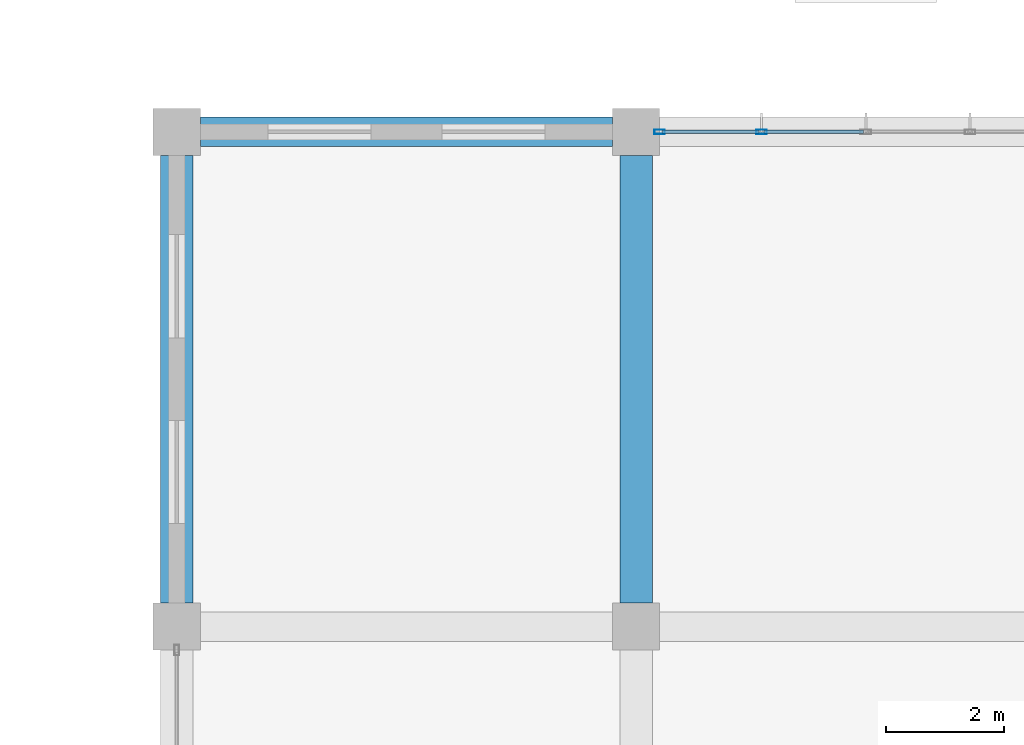
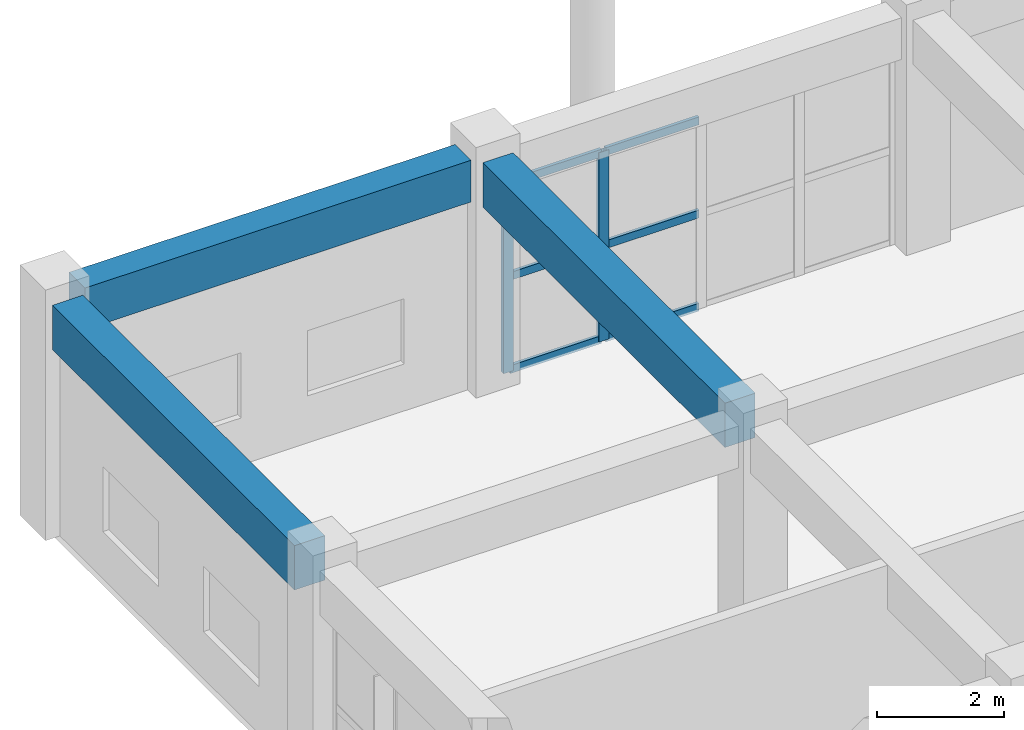
# One storey, part 93 of 139: 8 members, 3 beams, 1 element without a shape of its own.
"""IFC4 building model written with IfcOpenShell, lengths in metres."""

from ifc_helpers import new_model, si_unit, direction, frame, origin, origin_2d, place, context, subcontext, project, spatial, rectangle, hollow_rectangle, extrude, material, layer, layer_set, material_profile, profile_set, type_object, element, aggregate, save


model = new_model("IFC4")

# Units and contexts
model_context = context("Model", 3, precision=1e-05, world=origin(), true_north=direction((0.0, 1.0)))
body_context = subcontext(model_context, "Body", "Model", "MODEL_VIEW")
ifc_project = project(units=[si_unit("LENGTHUNIT", "METRE"), si_unit("AREAUNIT", "SQUARE_METRE"), si_unit("VOLUMEUNIT", "CUBIC_METRE"), si_unit("PLANEANGLEUNIT", "RADIAN"), si_unit("MASSUNIT", "GRAM", prefix="KILO")], contexts=[model_context])

# Site, building, storey
site_placement = place(None, origin())
site = spatial("IfcSite", under=ifc_project, at=site_placement, CompositionType="ELEMENT")
building_placement = place(site_placement, origin())
building = spatial("IfcBuilding", under=site, at=building_placement, Name="Zizhar Promenade General Hospital", CompositionType="ELEMENT")
storey_placement = place(building_placement, origin())
storey = spatial("IfcBuildingStorey", under=building, at=storey_placement, Name="L00", CompositionType="ELEMENT", Elevation=0.0)

# Beams
ifc_material_1 = material(Name="Concrete C35/45", Category="concrete")
ifc_material_profile_1 = material_profile(ifc_material_1, rectangle(XDim=0.5, YDim=0.800048828125, at=origin_2d()))
ifc_profile_set_1 = profile_set([ifc_material_profile_1], Name="Concrete C35/45")
beam_type_1 = type_object("IfcBeamType", Name="BM-RC-500x800", PredefinedType="BEAM", material=ifc_profile_set_1)
beam_placement = place(storey_placement, frame((47.199951171875, 134.39990234375, 4.070068359375), z_axis=(1.0, 0.0, 0.0), x_axis=(0.0, 1.0, 0.0)))
element("IfcBeam", 1, at=beam_placement, inside=storey, type_object=beam_type_1, Name="Grid Beam X L00 (6-16)", PredefinedType="BEAM", context=body_context, shape_type="SweptSolid", body=[
    extrude(rectangle(XDim=0.5, YDim=0.800048828125, at=origin_2d()), origin(), (0.0, 0.0, 1.0), 7.0),
])
ifc_material_2 = material(Name="Concrete C35/45", Category="concrete")
ifc_material_profile_2 = material_profile(ifc_material_2, rectangle(XDim=0.550048828125, YDim=0.85009765625, at=origin_2d()))
ifc_profile_set_2 = profile_set([ifc_material_profile_2], Name="Concrete C35/45")
beam_type_2 = type_object("IfcBeamType", Name="BM-RC-550x850", PredefinedType="BEAM", material=ifc_profile_set_2)
for number, where, z_axis, x_axis, name in (
    (2, (46.800048828125, 126.39990234375, 4.044921875), (0.0, 1.0, 0.0), (-1.0, 0.0, 0.0), "Grid Beam Y L00 (6-15)"),
    (3, (54.60009765625, 126.39990234375, 4.044921875), (0.0, 1.0, 0.0), (-1.0, 0.0, 0.0), "Grid Beam Y L00 (7-15)"),
):
    element("IfcBeam", number, at=place(storey_placement, frame(where, z_axis=z_axis, x_axis=x_axis)), inside=storey, type_object=beam_type_2, Name=name, PredefinedType="BEAM", context=body_context, shape_type="SweptSolid", body=[
        extrude(rectangle(XDim=0.550048828125, YDim=0.85009765625, at=origin_2d()), origin(), (0.0, 0.0, 1.0), 7.60009765625),
    ])

# Curtain wall, members
ifc_material_3 = material(Name="Anodised aluminium 6063-T6 and low-E glass", Category="aluminium")
ifc_layer = layer(ifc_material_3, 0.159912109375)
ifc_layer_set = layer_set([ifc_layer], Name="Anodised aluminium 6063-T6 and low-E glass")
curtain_wall_type = type_object("IfcCurtainWallType", Name="CW-DT-MOD2", PredefinedType="NOTDEFINED", material=ifc_layer_set)
curtain_wall_placement = place(storey_placement, origin())
curtain_wall = element("IfcCurtainWall", 4, at=curtain_wall_placement, inside=storey, type_object=curtain_wall_type, Name="Surgical North Glazed Curtain Wall L00-7", PredefinedType="NOTDEFINED")
ifc_material_4 = material(Name="Anodised aluminium 6063-T6", Category="aluminium")
ifc_material_profile_3 = material_profile(ifc_material_4, hollow_rectangle(XDim=0.080078125, YDim=0.179931640625, WallThickness=0.0048828125, at=origin_2d()))
ifc_profile_set_3 = profile_set([ifc_material_profile_3], Name="Anodised aluminium 6063-T6")
member_type_1 = type_object("IfcMemberType", Name="CWM-ALU-180x80", PredefinedType="MULLION", material=ifc_profile_set_3)
member_1_placement = place(storey_placement, frame((55.0, 134.39990234375, 0.0), z_axis=(0.0, 0.0, 1.0), x_axis=(0.0, 1.0, 0.0)))
member_1 = element("IfcMember", 5, at=member_1_placement, type_object=member_type_1, Name="CW-08 mullion 1", PredefinedType="MULLION", context=body_context, shape_type="SweptSolid", body=[
    extrude(hollow_rectangle(XDim=0.080078125, YDim=0.179931640625, WallThickness=0.0048828125, at=origin_2d()), origin(), (0.0, 0.0, 1.0), 3.6298828125),
])
member_2_placement = place(storey_placement, frame((56.72998046875, 134.39990234375, 0.0), z_axis=(0.0, 0.0, 1.0), x_axis=(0.0, 1.0, 0.0)))
member_2 = element("IfcMember", 6, at=member_2_placement, type_object=member_type_1, Name="CW-08 mullion 2", PredefinedType="MULLION", context=body_context, shape_type="SweptSolid", body=[
    extrude(hollow_rectangle(XDim=0.080078125, YDim=0.179931640625, WallThickness=0.0048828125, at=origin_2d()), origin(), (0.0, 0.0, 1.0), 3.6298828125),
])
ifc_material_5 = material(Name="Anodised aluminium 6063-T6", Category="aluminium")
ifc_material_profile_4 = material_profile(ifc_material_5, hollow_rectangle(XDim=0.06005859375, YDim=0.14990234375, WallThickness=0.00390625, at=origin_2d()))
ifc_profile_set_4 = profile_set([ifc_material_profile_4], Name="Anodised aluminium 6063-T6")
member_type_2 = type_object("IfcMemberType", Name="CWT-ALU-150x60", PredefinedType="USERDEFINED", material=ifc_profile_set_4)
member_3_placement = place(storey_placement, frame((55.0400390625, 134.39990234375, 0.030029296875), z_axis=(1.0, 0.0, 0.0), x_axis=(0.0, 1.0, 0.0)))
member_3 = element("IfcMember", 7, at=member_3_placement, type_object=member_type_2, Name="CW-08 transom 1.1", ObjectType="TRANSOM", PredefinedType="USERDEFINED", context=body_context, shape_type="SweptSolid", body=[
    extrude(hollow_rectangle(XDim=0.06005859375, YDim=0.14990234375, WallThickness=0.00390625, at=origin_2d()), origin(), (0.0, 0.0, 1.0), 1.64990234375),
])
member_4_placement = place(storey_placement, frame((55.0400390625, 134.39990234375, 1.81494140625), z_axis=(1.0, 0.0, 0.0), x_axis=(0.0, 1.0, 0.0)))
member_4 = element("IfcMember", 8, at=member_4_placement, type_object=member_type_2, Name="CW-08 transom 1.2", ObjectType="TRANSOM", PredefinedType="USERDEFINED", context=body_context, shape_type="SweptSolid", body=[
    extrude(hollow_rectangle(XDim=0.06005859375, YDim=0.14990234375, WallThickness=0.00390625, at=origin_2d()), origin(), (0.0, 0.0, 1.0), 1.64990234375),
])
member_5_placement = place(storey_placement, frame((55.0400390625, 134.39990234375, 3.60009765625), z_axis=(1.0, 0.0, 0.0), x_axis=(0.0, 1.0, 0.0)))
member_5 = element("IfcMember", 9, at=member_5_placement, type_object=member_type_2, Name="CW-08 transom 1.3", ObjectType="TRANSOM", PredefinedType="USERDEFINED", context=body_context, shape_type="SweptSolid", body=[
    extrude(hollow_rectangle(XDim=0.06005859375, YDim=0.14990234375, WallThickness=0.00390625, at=origin_2d()), origin(), (0.0, 0.0, 1.0), 1.64990234375),
])
member_6_placement = place(storey_placement, frame((56.77001953125, 134.39990234375, 0.030029296875), z_axis=(1.0, 0.0, 0.0), x_axis=(0.0, 1.0, 0.0)))
member_6 = element("IfcMember", 10, at=member_6_placement, type_object=member_type_2, Name="CW-08 transom 2.1", ObjectType="TRANSOM", PredefinedType="USERDEFINED", context=body_context, shape_type="SweptSolid", body=[
    extrude(hollow_rectangle(XDim=0.06005859375, YDim=0.14990234375, WallThickness=0.00390625, at=origin_2d()), origin(), (0.0, 0.0, 1.0), 1.68994140625),
])
member_7_placement = place(storey_placement, frame((56.77001953125, 134.39990234375, 1.81494140625), z_axis=(1.0, 0.0, 0.0), x_axis=(0.0, 1.0, 0.0)))
member_7 = element("IfcMember", 11, at=member_7_placement, type_object=member_type_2, Name="CW-08 transom 2.2", ObjectType="TRANSOM", PredefinedType="USERDEFINED", context=body_context, shape_type="SweptSolid", body=[
    extrude(hollow_rectangle(XDim=0.06005859375, YDim=0.14990234375, WallThickness=0.00390625, at=origin_2d()), origin(), (0.0, 0.0, 1.0), 1.68994140625),
])
member_8_placement = place(storey_placement, frame((56.77001953125, 134.39990234375, 3.60009765625), z_axis=(1.0, 0.0, 0.0), x_axis=(0.0, 1.0, 0.0)))
member_8 = element("IfcMember", 12, at=member_8_placement, type_object=member_type_2, Name="CW-08 transom 2.3", ObjectType="TRANSOM", PredefinedType="USERDEFINED", context=body_context, shape_type="SweptSolid", body=[
    extrude(hollow_rectangle(XDim=0.06005859375, YDim=0.14990234375, WallThickness=0.00390625, at=origin_2d()), origin(), (0.0, 0.0, 1.0), 1.68994140625),
])
aggregate(curtain_wall, [member_1, member_2, member_3, member_4, member_5, member_6, member_7, member_8])

save(model, "model.ifc")
